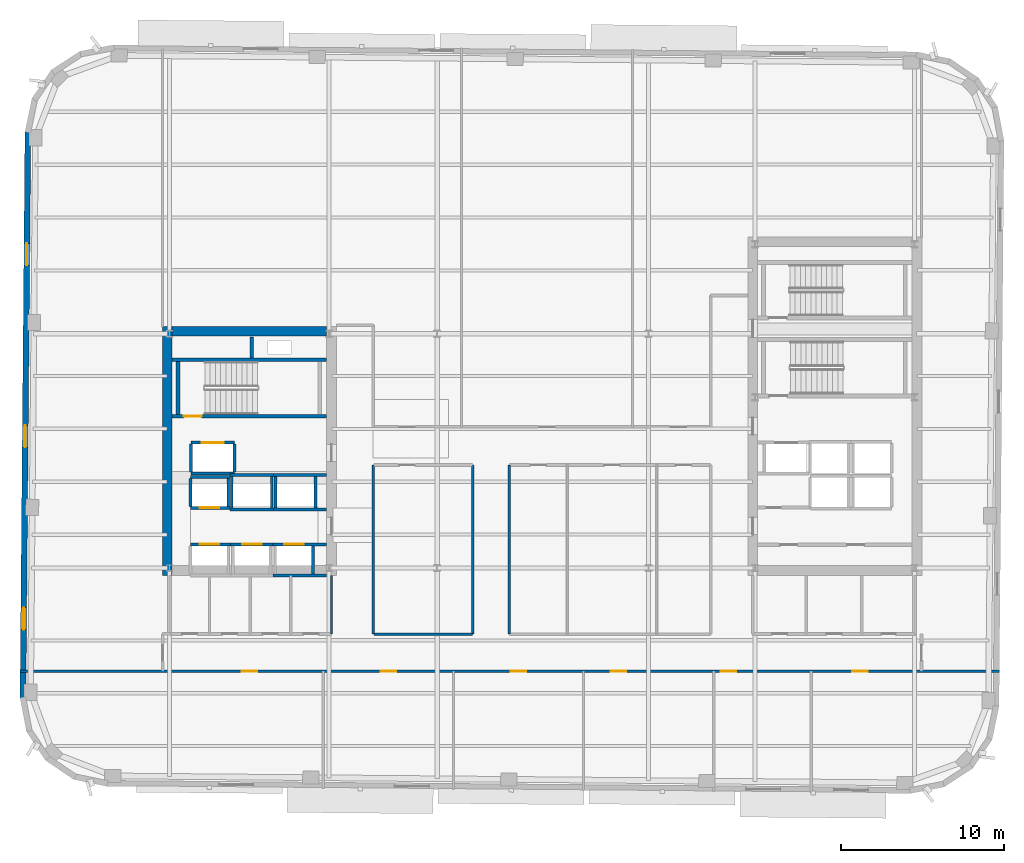
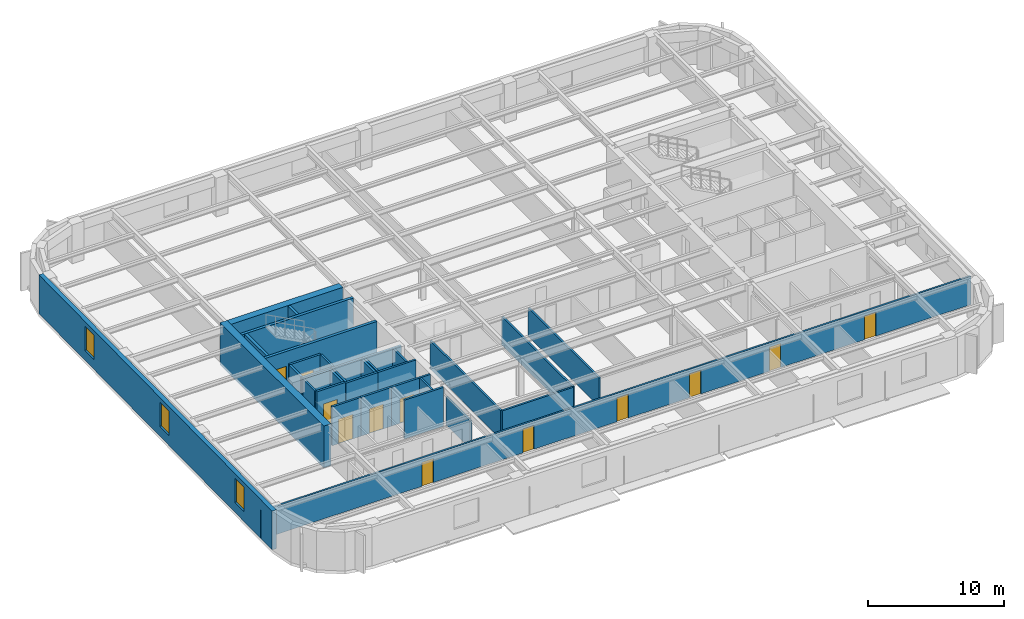
# One storey, part 4 of 12: 34 walls, 12 doors, 3 windows, 15 openings.
"""IFC4 building model written with IfcOpenShell, lengths in metres."""

from ifc_helpers import new_model, si_unit, direction, frame, frame_2d, origin, place, context, subcontext, project, spatial, rectangle, extrude, material, layer, layer_set, type_object, element, fill, save


model = new_model("IFC4")

# Units and contexts
model_context = context("Model", 3, precision=1e-05, world=origin(), true_north=direction((0.0, 1.0)))
body_context = subcontext(model_context, "Body", "Model", "MODEL_VIEW")
ifc_project = project(units=[si_unit("LENGTHUNIT", "METRE"), si_unit("AREAUNIT", "SQUARE_METRE"), si_unit("VOLUMEUNIT", "CUBIC_METRE"), si_unit("PLANEANGLEUNIT", "RADIAN"), si_unit("MASSUNIT", "GRAM", prefix="KILO")], contexts=[model_context])

# Site, building, storey
site_placement = place(None, origin())
site = spatial("IfcSite", under=ifc_project, at=site_placement, CompositionType="ELEMENT")
building_placement = place(site_placement, origin())
building = spatial("IfcBuilding", under=site, at=building_placement, Name="Kolvaren Arena Tower", CompositionType="ELEMENT")
storey_placement = place(building_placement, frame((0.0, 0.0, 199.699951171875)))
storey = spatial("IfcBuildingStorey", under=building, at=storey_placement, Name="L48", CompositionType="ELEMENT", Elevation=199.699951171875)

# Wall, openings, doors
ifc_material_1 = material(Name="Gypsum board acoustic assembly", Category="gypsum")
ifc_layer_1 = layer(ifc_material_1, 0.159912109375)
ifc_layer_set_1 = layer_set([ifc_layer_1], Name="Gypsum board acoustic assembly")
wall_type_1 = type_object("IfcWallType", Name="CORR-160", PredefinedType="PARTITIONING", material=ifc_layer_set_1)
wall_1_placement = place(storey_placement, frame((5.363525390625, 13.10009765625, 0.0), z_axis=(0.0, 0.0, 1.0), x_axis=(1.0, 0.0, 0.0)))
wall_1 = element("IfcWall", 1, at=wall_1_placement, inside=storey, type_object=wall_type_1, Name="Interior Partition Wall (L48)", PredefinedType="PARTITIONING", context=body_context, shape_type="SweptSolid", body=[
    extrude(rectangle(XDim=60.202392578125, YDim=0.159912109375, at=frame_2d((30.10107421875, 0.0))), origin(), (0.0, 0.0, 1.0), 2.5400390625),
])
opening_1_placement = place(wall_1_placement, frame((13.611328125, 0.0, 0.0)))
opening_1 = element("IfcOpeningElement", 2, at=opening_1_placement, cuts=wall_1, Name="Opening D05", PredefinedType="OPENING", context=body_context, shape_type="SweptSolid", body=[
    extrude(rectangle(XDim=0.949951171875, YDim=2.14990234375, at=frame_2d((0.47509765625, 1.074951171875))), frame((0.0, 0.08984375, 0.0), z_axis=(0.0, -1.0, 0.0), x_axis=(1.0, 0.0, 0.0)), (0.0, 0.0, 1.0), 0.179931640625),
])
opening_2_placement = place(wall_1_placement, frame((22.161376953125, 0.0, 0.0)))
opening_2 = element("IfcOpeningElement", 3, at=opening_2_placement, cuts=wall_1, Name="Opening D05", PredefinedType="OPENING", context=body_context, shape_type="SweptSolid", body=[
    extrude(rectangle(XDim=0.949951171875, YDim=2.14990234375, at=frame_2d((0.47509765625, 1.074951171875))), frame((0.0, 0.08984375, 0.0), z_axis=(0.0, -1.0, 0.0), x_axis=(1.0, 0.0, 0.0)), (0.0, 0.0, 1.0), 0.179931640625),
])
opening_3_placement = place(wall_1_placement, frame((30.161376953125, 0.0, 0.0)))
opening_3 = element("IfcOpeningElement", 4, at=opening_3_placement, cuts=wall_1, Name="Opening D05", PredefinedType="OPENING", context=body_context, shape_type="SweptSolid", body=[
    extrude(rectangle(XDim=0.949951171875, YDim=2.14990234375, at=frame_2d((0.47509765625, 1.074951171875))), frame((0.0, 0.08984375, 0.0), z_axis=(0.0, -1.0, 0.0), x_axis=(1.0, 0.0, 0.0)), (0.0, 0.0, 1.0), 0.179931640625),
])
opening_4_placement = place(wall_1_placement, frame((36.311279296875, 0.0, 0.0)))
opening_4 = element("IfcOpeningElement", 5, at=opening_4_placement, cuts=wall_1, Name="Opening D05", PredefinedType="OPENING", context=body_context, shape_type="SweptSolid", body=[
    extrude(rectangle(XDim=0.949951171875, YDim=2.14990234375, at=frame_2d((0.47509765625, 1.074951171875))), frame((0.0, 0.08984375, 0.0), z_axis=(0.0, -1.0, 0.0), x_axis=(1.0, 0.0, 0.0)), (0.0, 0.0, 1.0), 0.179931640625),
])
opening_5_placement = place(wall_1_placement, frame((43.08642578125, 0.0, 0.0)))
opening_5 = element("IfcOpeningElement", 6, at=opening_5_placement, cuts=wall_1, Name="Opening D05", PredefinedType="OPENING", context=body_context, shape_type="SweptSolid", body=[
    extrude(rectangle(XDim=0.949951171875, YDim=2.14990234375, at=frame_2d((0.47509765625, 1.074951171875))), frame((0.0, 0.08984375, 0.0), z_axis=(0.0, -1.0, 0.0), x_axis=(1.0, 0.0, 0.0)), (0.0, 0.0, 1.0), 0.179931640625),
])
opening_6_placement = place(wall_1_placement, frame((51.161376953125, 0.0, 0.0)))
opening_6 = element("IfcOpeningElement", 7, at=opening_6_placement, cuts=wall_1, Name="Opening D05", PredefinedType="OPENING", context=body_context, shape_type="SweptSolid", body=[
    extrude(rectangle(XDim=0.949951171875, YDim=2.14990234375, at=frame_2d((0.47509765625, 1.074951171875))), frame((0.0, 0.08984375, 0.0), z_axis=(0.0, -1.0, 0.0), x_axis=(1.0, 0.0, 0.0)), (0.0, 0.0, 1.0), 0.179931640625),
])
ifc_material_2 = material(Name="Solid-core oak acoustic office door", Category="wood")
door_type_1 = type_object("IfcDoorType", Name="DOOR-OF-095", OperationType="NOTDEFINED", PredefinedType="DOOR", material=ifc_material_2)
door_1_placement = place(opening_1_placement, origin())
door_1 = element("IfcDoor", 8, at=door_1_placement, inside=storey, type_object=door_type_1, Name="Technical Engineering Office Door (L48)", OperationType="SINGLE_SWING_RIGHT", OverallHeight=2.14990234375, OverallWidth=0.949951171875, PredefinedType="DOOR", context=body_context, shape_type="SweptSolid", body=[
    extrude(rectangle(XDim=0.949951171875, YDim=2.14990234375, at=frame_2d((0.47509765625, 1.074951171875))), frame((0.0, 0.02490234375, 0.0), z_axis=(0.0, -1.0, 0.0), x_axis=(1.0, 0.0, 0.0)), (0.0, 0.0, 1.0), 0.050048828125),
])
fill(opening_1, door_1)
door_2_placement = place(opening_2_placement, origin())
door_2 = element("IfcDoor", 9, at=door_2_placement, inside=storey, type_object=door_type_1, Name="Training Seminar Room Door (L48)", OperationType="SINGLE_SWING_LEFT", OverallHeight=2.14990234375, OverallWidth=0.949951171875, PredefinedType="DOOR", context=body_context, shape_type="SweptSolid", body=[
    extrude(rectangle(XDim=0.949951171875, YDim=2.14990234375, at=frame_2d((0.47509765625, 1.074951171875))), frame((0.0, 0.02490234375, 0.0), z_axis=(0.0, -1.0, 0.0), x_axis=(1.0, 0.0, 0.0)), (0.0, 0.0, 1.0), 0.050048828125),
])
fill(opening_2, door_2)
door_3_placement = place(opening_3_placement, origin())
door_3 = element("IfcDoor", 10, at=door_3_placement, inside=storey, type_object=door_type_1, Name="Client Lounge Door (L48)", OperationType="SINGLE_SWING_RIGHT", OverallHeight=2.14990234375, OverallWidth=0.949951171875, PredefinedType="DOOR", context=body_context, shape_type="SweptSolid", body=[
    extrude(rectangle(XDim=0.949951171875, YDim=2.14990234375, at=frame_2d((0.47509765625, 1.074951171875))), frame((0.0, 0.02490234375, 0.0), z_axis=(0.0, -1.0, 0.0), x_axis=(1.0, 0.0, 0.0)), (0.0, 0.0, 1.0), 0.050048828125),
])
fill(opening_3, door_3)
door_4_placement = place(opening_4_placement, origin())
door_4 = element("IfcDoor", 11, at=door_4_placement, inside=storey, type_object=door_type_1, Name="Boardroom Door (L48)", OperationType="SINGLE_SWING_LEFT", OverallHeight=2.14990234375, OverallWidth=0.949951171875, PredefinedType="DOOR", context=body_context, shape_type="SweptSolid", body=[
    extrude(rectangle(XDim=0.949951171875, YDim=2.14990234375, at=frame_2d((0.47509765625, 1.074951171875))), frame((0.0, 0.02490234375, 0.0), z_axis=(0.0, -1.0, 0.0), x_axis=(1.0, 0.0, 0.0)), (0.0, 0.0, 1.0), 0.050048828125),
])
fill(opening_4, door_4)
door_5_placement = place(opening_5_placement, origin())
door_5 = element("IfcDoor", 12, at=door_5_placement, inside=storey, type_object=door_type_1, Name="Breakout Pantry and Kitchen Door (L48)", OperationType="SINGLE_SWING_RIGHT", OverallHeight=2.14990234375, OverallWidth=0.949951171875, PredefinedType="DOOR", context=body_context, shape_type="SweptSolid", body=[
    extrude(rectangle(XDim=0.949951171875, YDim=2.14990234375, at=frame_2d((0.47509765625, 1.074951171875))), frame((0.0, 0.02490234375, 0.0), z_axis=(0.0, -1.0, 0.0), x_axis=(1.0, 0.0, 0.0)), (0.0, 0.0, 1.0), 0.050048828125),
])
fill(opening_5, door_5)
door_6_placement = place(opening_6_placement, origin())
door_6 = element("IfcDoor", 13, at=door_6_placement, inside=storey, type_object=door_type_1, Name="Design Studio Door (L48)", OperationType="SINGLE_SWING_LEFT", OverallHeight=2.14990234375, OverallWidth=0.949951171875, PredefinedType="DOOR", context=body_context, shape_type="SweptSolid", body=[
    extrude(rectangle(XDim=0.949951171875, YDim=2.14990234375, at=frame_2d((0.47509765625, 1.074951171875))), frame((0.0, 0.02490234375, 0.0), z_axis=(0.0, -1.0, 0.0), x_axis=(1.0, 0.0, 0.0)), (0.0, 0.0, 1.0), 0.050048828125),
])
fill(opening_6, door_6)

# Walls
wall_2_placement = place(storey_placement, frame((27.10009765625, 15.3798828125, 0.0), z_axis=(0.0, 0.0, 1.0), x_axis=(1.0, 0.0, 0.0)))
element("IfcWall", 14, at=wall_2_placement, inside=storey, type_object=wall_type_1, Name="Interior Partition Wall (L48)", PredefinedType="PARTITIONING", context=body_context, shape_type="SweptSolid", body=[
    extrude(rectangle(XDim=6.059814453125, YDim=0.159912109375, at=frame_2d((3.02978515625, 0.0))), origin(), (0.0, 0.0, 1.0), 2.5400390625),
])
for number, where, z_axis, x_axis, name in (
    (15, (33.179931640625, 15.3798828125, 0.0), (0.0, 0.0, 1.0), (0.0, 1.0, 0.0), "Interior Partition Wall (L48)"),
    (16, (35.419921875, 15.3798828125, 0.0), (0.0, 0.0, 1.0), (0.0, 1.0, 0.0), "Interior Partition Wall (L48)"),
    (17, (27.080078125, 15.3798828125, 0.0), (0.0, 0.0, 1.0), (0.0, 1.0, 0.0), "Interior Partition Wall (L48)"),
):
    element("IfcWall", number, at=place(storey_placement, frame(where, z_axis=z_axis, x_axis=x_axis)), inside=storey, type_object=wall_type_1, Name=name, PredefinedType="PARTITIONING", context=body_context, shape_type="SweptSolid", body=[
        extrude(rectangle(XDim=10.400146484375, YDim=0.159912109375, at=frame_2d((5.2001953125, 0.0))), origin(), (0.0, 0.0, 1.0), 2.5400390625),
    ])
ifc_material_3 = material(Name="Concrete 60 MPa", Category="concrete")
ifc_layer_2 = layer(ifc_material_3, 0.60009765625)
ifc_layer_set_2 = layer_set([ifc_layer_2], Name="Concrete 60 MPa")
wall_type_2 = type_object("IfcWallType", Name="CWALL-600", PredefinedType="SHEAR", material=ifc_layer_set_2)
wall_3_placement = place(storey_placement, frame((14.39990234375, 19.0, -0.27001953125), z_axis=(0.0, 0.0, 1.0), x_axis=(0.0, 1.0, 0.0)))
element("IfcWall", 18, at=wall_3_placement, inside=storey, type_object=wall_type_2, Name="Core Shear Wall WC-WEST (L48)", PredefinedType="SHEAR", context=body_context, shape_type="SweptSolid", body=[
    extrude(rectangle(XDim=15.300048828125, YDim=0.60009765625, at=frame_2d((7.64990234375, 0.0))), origin(), (0.0, 0.0, 1.0), 3.75),
])
wall_4_placement = place(storey_placement, frame((14.699951171875, 34.0, -0.27001953125), z_axis=(0.0, 0.0, 1.0), x_axis=(1.0, 0.0, 0.0)))
element("IfcWall", 19, at=wall_4_placement, inside=storey, type_object=wall_type_2, Name="Core Shear Wall WC-NORTH (L48)", PredefinedType="SHEAR", context=body_context, shape_type="SweptSolid", body=[
    extrude(rectangle(XDim=9.5, YDim=0.60009765625, at=frame_2d((4.75, 0.0))), origin(), (0.0, 0.0, 1.0), 3.75),
])

# Wall, openings, windows
ifc_material_4 = material(Name="Precast concrete C50/60", Category="concrete")
ifc_layer_3 = layer(ifc_material_4, 0.360107421875)
ifc_layer_set_3 = layer_set([ifc_layer_3], Name="Precast concrete C50/60")
wall_type_3 = type_object("IfcWallType", Name="EXT-PIER2", PredefinedType="SOLIDWALL", material=ifc_layer_set_3)
wall_5_placement = place(storey_placement, frame((5.529296875, 11.461669921875, 0.0), z_axis=(0.0, 0.0, 1.0), x_axis=(0.008727287311, 0.999961916503, 0.0)))
wall_5 = element("IfcWall", 20, at=wall_5_placement, inside=storey, type_object=wall_type_3, Name="Exterior Precast Masonry-Frame Wall (L48)", PredefinedType="SOLIDWALL", context=body_context, shape_type="SweptSolid", body=[
    extrude(rectangle(XDim=34.800048828125, YDim=0.360107421875, at=frame_2d((17.39990234375, 0.0))), origin(), (0.0, 0.0, 1.0), 3.47998046875),
])
opening_7_placement = place(wall_5_placement, frame((4.199951171875, 0.0, 0.8798828125)))
opening_7 = element("IfcOpeningElement", 21, at=opening_7_placement, cuts=wall_5, Name="Opening W04", PredefinedType="OPENING", context=body_context, shape_type="SweptSolid", body=[
    extrude(rectangle(XDim=1.35009765625, YDim=2.199951171875, at=frame_2d((0.675048828125, 1.10009765625))), frame((0.0, 0.18994140625, 0.0), z_axis=(0.0, -1.0, 0.0), x_axis=(1.0, 0.0, 0.0)), (0.0, 0.0, 1.0), 0.380126953125),
])
opening_8_placement = place(wall_5_placement, frame((15.39990234375, 0.0, 0.8798828125)))
opening_8 = element("IfcOpeningElement", 22, at=opening_8_placement, cuts=wall_5, Name="Opening W04", PredefinedType="OPENING", context=body_context, shape_type="SweptSolid", body=[
    extrude(rectangle(XDim=1.35009765625, YDim=2.199951171875, at=frame_2d((0.675048828125, 1.10009765625))), frame((0.0, 0.18994140625, 0.0), z_axis=(0.0, -1.0, 0.0), x_axis=(1.0, 0.0, 0.0)), (0.0, 0.0, 1.0), 0.380126953125),
])
opening_9_placement = place(wall_5_placement, frame((26.60009765625, 0.0, 0.8798828125)))
opening_9 = element("IfcOpeningElement", 23, at=opening_9_placement, cuts=wall_5, Name="Opening W04", PredefinedType="OPENING", context=body_context, shape_type="SweptSolid", body=[
    extrude(rectangle(XDim=1.35009765625, YDim=2.199951171875, at=frame_2d((0.675048828125, 1.10009765625))), frame((0.0, 0.18994140625, 0.0), z_axis=(0.0, -1.0, 0.0), x_axis=(1.0, 0.0, 0.0)), (0.0, 0.0, 1.0), 0.380126953125),
])
ifc_material_5 = material(Name="Triple-glazed curved-facet corner window", Category="glass")
window_type = type_object("IfcWindowType", Name="WIN-CRN-A", PartitioningType="SINGLE_PANEL", PredefinedType="WINDOW", material=ifc_material_5)
window_1_placement = place(opening_7_placement, origin())
window_1 = element("IfcWindow", 24, at=window_1_placement, inside=storey, type_object=window_type, Name="End-Wall Punched Window (L48)", OverallHeight=2.199951171875, OverallWidth=1.35009765625, PartitioningType="SINGLE_PANEL", PredefinedType="WINDOW", context=body_context, shape_type="SweptSolid", body=[
    extrude(rectangle(XDim=1.35009765625, YDim=2.199951171875, at=frame_2d((0.675048828125, 1.10009765625))), frame((0.0, 0.030029296875, 0.0), z_axis=(0.0, -1.0, 0.0), x_axis=(1.0, 0.0, 0.0)), (0.0, 0.0, 1.0), 0.06005859375),
])
fill(opening_7, window_1)
window_2_placement = place(opening_8_placement, origin())
window_2 = element("IfcWindow", 25, at=window_2_placement, inside=storey, type_object=window_type, Name="End-Wall Punched Window (L48)", OverallHeight=2.199951171875, OverallWidth=1.35009765625, PartitioningType="SINGLE_PANEL", PredefinedType="WINDOW", context=body_context, shape_type="SweptSolid", body=[
    extrude(rectangle(XDim=1.35009765625, YDim=2.199951171875, at=frame_2d((0.675048828125, 1.10009765625))), frame((0.0, 0.030029296875, 0.0), z_axis=(0.0, -1.0, 0.0), x_axis=(1.0, 0.0, 0.0)), (0.0, 0.0, 1.0), 0.06005859375),
])
fill(opening_8, window_2)
window_3_placement = place(opening_9_placement, origin())
window_3 = element("IfcWindow", 26, at=window_3_placement, inside=storey, type_object=window_type, Name="End-Wall Punched Window (L48)", OverallHeight=2.199951171875, OverallWidth=1.35009765625, PartitioningType="SINGLE_PANEL", PredefinedType="WINDOW", context=body_context, shape_type="SweptSolid", body=[
    extrude(rectangle(XDim=1.35009765625, YDim=2.199951171875, at=frame_2d((0.675048828125, 1.10009765625))), frame((0.0, 0.030029296875, 0.0), z_axis=(0.0, -1.0, 0.0), x_axis=(1.0, 0.0, 0.0)), (0.0, 0.0, 1.0), 0.06005859375),
])
fill(opening_9, window_3)

# Wall, opening, door
ifc_material_6 = material(Name="Concrete 45 MPa", Category="concrete")
ifc_layer_4 = layer(ifc_material_6, 0.25)
ifc_layer_set_4 = layer_set([ifc_layer_4], Name="Concrete 45 MPa")
wall_type_4 = type_object("IfcWallType", Name="SHAFT-250", PredefinedType="SOLIDWALL", material=ifc_layer_set_4)
wall_6_placement = place(storey_placement, frame((24.199951171875, 28.780029296875, 0.0), z_axis=(0.0, 0.0, 1.0), x_axis=(-1.0, 0.0, 0.0)))
wall_6 = element("IfcWall", 27, at=wall_6_placement, inside=storey, type_object=wall_type_4, Name="Core Shaft Wall (L48)", PredefinedType="SOLIDWALL", context=body_context, shape_type="SweptSolid", body=[
    extrude(rectangle(XDim=9.5, YDim=0.239990234375, at=frame_2d((4.75, 0.0))), origin(), (0.0, 0.0, 1.0), 3.47998046875),
])
opening_10_placement = place(wall_6_placement, frame((7.679931640625, 0.0, 0.0)))
opening_10 = element("IfcOpeningElement", 28, at=opening_10_placement, cuts=wall_6, Name="Opening D03", PredefinedType="OPENING", context=body_context, shape_type="SweptSolid", body=[
    extrude(rectangle(XDim=1.10009765625, YDim=2.14990234375, at=frame_2d((0.550048828125, 1.074951171875))), frame((0.0, 0.1298828125, 0.0), z_axis=(0.0, -1.0, 0.0), x_axis=(1.0, 0.0, 0.0)), (0.0, 0.0, 1.0), 0.260009765625),
])
ifc_material_7 = material(Name="Fire-rated steel exit stair door", Category="steel")
door_type_2 = type_object("IfcDoorType", Name="DOOR-ST-110", OperationType="NOTDEFINED", PredefinedType="DOOR", material=ifc_material_7)
door_7_placement = place(opening_10_placement, origin())
door_7 = element("IfcDoor", 29, at=door_7_placement, inside=storey, type_object=door_type_2, Name="Stair ST-W1 Fire Door (L48)", OperationType="SINGLE_SWING_RIGHT", OverallHeight=2.14990234375, OverallWidth=1.10009765625, PredefinedType="DOOR", context=body_context, shape_type="SweptSolid", body=[
    extrude(rectangle(XDim=1.10009765625, YDim=2.14990234375, at=frame_2d((0.550048828125, 1.074951171875))), frame((0.0, 0.02490234375, 0.0), z_axis=(0.0, -1.0, 0.0), x_axis=(1.0, 0.0, 0.0)), (0.0, 0.0, 1.0), 0.050048828125),
])
fill(opening_10, door_7)

# Walls
wall_7_placement = place(storey_placement, frame((14.699951171875, 32.25, 0.0), z_axis=(0.0, 0.0, 1.0), x_axis=(1.0, 0.0, 0.0)))
element("IfcWall", 30, at=wall_7_placement, inside=storey, type_object=wall_type_4, Name="Core Shaft Wall (L48)", PredefinedType="SOLIDWALL", context=body_context, shape_type="SweptSolid", body=[
    extrude(rectangle(XDim=9.5, YDim=0.239990234375, at=frame_2d((4.75, 0.0))), origin(), (0.0, 0.0, 1.0), 3.47998046875),
])
wall_8_placement = place(storey_placement, frame((15.06005859375, 28.89990234375, 0.0), z_axis=(0.0, 0.0, 1.0), x_axis=(0.0, 1.0, 0.0)))
element("IfcWall", 31, at=wall_8_placement, inside=storey, type_object=wall_type_4, Name="Core Shaft Wall (L48)", PredefinedType="SOLIDWALL", context=body_context, shape_type="SweptSolid", body=[
    extrude(rectangle(XDim=3.22998046875, YDim=0.239990234375, at=frame_2d((1.614990234375, 0.0))), origin(), (0.0, 0.0, 1.0), 3.47998046875),
])
wall_9_placement = place(storey_placement, frame((19.60009765625, 32.3701171875, 0.0), z_axis=(0.0, 0.0, 1.0), x_axis=(0.0, 1.0, 0.0)))
element("IfcWall", 32, at=wall_9_placement, inside=storey, type_object=wall_type_4, Name="Core Shaft Wall (L48)", PredefinedType="SOLIDWALL", context=body_context, shape_type="SweptSolid", body=[
    extrude(rectangle(XDim=1.27978515625, YDim=0.199951171875, at=frame_2d((0.639892578125, 0.0))), origin(), (0.0, 0.0, 1.0), 3.47998046875),
])

# Wall, opening, door
wall_10_placement = place(storey_placement, frame((15.844970703125, 20.905029296875, 0.0), z_axis=(0.0, 0.0, 1.0), x_axis=(1.0, 0.0, 0.0)))
wall_10 = element("IfcWall", 33, at=wall_10_placement, inside=storey, type_object=wall_type_4, Name="Core Shaft Wall (L48)", PredefinedType="SOLIDWALL", context=body_context, shape_type="SweptSolid", body=[
    extrude(rectangle(XDim=2.455078125, YDim=0.179931640625, at=frame_2d((1.2275390625, 0.0))), origin(), (0.0, 0.0, 1.0), 3.47998046875),
])
opening_11_placement = place(wall_10_placement, frame((0.554931640625, 0.0, 0.0)))
opening_11 = element("IfcOpeningElement", 34, at=opening_11_placement, cuts=wall_10, Name="Opening LD1", PredefinedType="OPENING", context=body_context, shape_type="SweptSolid", body=[
    extrude(rectangle(XDim=1.199951171875, YDim=2.199951171875, at=frame_2d((0.60009765625, 1.10009765625))), frame((0.0, 0.099853515625, 0.0), z_axis=(0.0, -1.0, 0.0), x_axis=(1.0, 0.0, 0.0)), (0.0, 0.0, 1.0), 0.199951171875),
])
ifc_material_8 = material(Name="Stainless steel passenger lift landing door", Category="steel")
door_type_3 = type_object("IfcDoorType", Name="DOOR-LD-120", OperationType="DOUBLE_DOOR_SLIDING", PredefinedType="DOOR", material=ifc_material_8)
door_8_placement = place(opening_11_placement, origin())
door_8 = element("IfcDoor", 35, at=door_8_placement, inside=storey, type_object=door_type_3, Name="Lift EL-MR1 Landing Door (L48)", OperationType="DOUBLE_DOOR_SLIDING", OverallHeight=2.199951171875, OverallWidth=1.199951171875, PredefinedType="DOOR", context=body_context, shape_type="SweptSolid", body=[
    extrude(rectangle(XDim=1.199951171875, YDim=2.199951171875, at=frame_2d((0.60009765625, 1.10009765625))), frame((0.0, 0.02490234375, 0.0), z_axis=(0.0, -1.0, 0.0), x_axis=(1.0, 0.0, 0.0)), (0.0, 0.0, 1.0), 0.050048828125),
])
fill(opening_11, door_8)

wall_11_placement = place(storey_placement, frame((18.300048828125, 20.905029296875, 0.0), z_axis=(0.0, 0.0, 1.0), x_axis=(1.0, 0.0, 0.0)))
wall_11 = element("IfcWall", 36, at=wall_11_placement, inside=storey, type_object=wall_type_4, Name="Core Shaft Wall (L48)", PredefinedType="SOLIDWALL", context=body_context, shape_type="SweptSolid", body=[
    extrude(rectangle(XDim=2.599853515625, YDim=0.179931640625, at=frame_2d((1.2998046875, 0.0))), origin(), (0.0, 0.0, 1.0), 3.47998046875),
])
opening_12_placement = place(wall_11_placement, frame((0.699951171875, 0.0, 0.0)))
opening_12 = element("IfcOpeningElement", 37, at=opening_12_placement, cuts=wall_11, Name="Opening LD1", PredefinedType="OPENING", context=body_context, shape_type="SweptSolid", body=[
    extrude(rectangle(XDim=1.199951171875, YDim=2.199951171875, at=frame_2d((0.60009765625, 1.10009765625))), frame((0.0, 0.099853515625, 0.0), z_axis=(0.0, -1.0, 0.0), x_axis=(1.0, 0.0, 0.0)), (0.0, 0.0, 1.0), 0.199951171875),
])
door_9_placement = place(opening_12_placement, origin())
door_9 = element("IfcDoor", 38, at=door_9_placement, inside=storey, type_object=door_type_3, Name="Lift EL-MR2 Landing Door (L48)", OperationType="DOUBLE_DOOR_SLIDING", OverallHeight=2.199951171875, OverallWidth=1.199951171875, PredefinedType="DOOR", context=body_context, shape_type="SweptSolid", body=[
    extrude(rectangle(XDim=1.199951171875, YDim=2.199951171875, at=frame_2d((0.60009765625, 1.10009765625))), frame((0.0, 0.02490234375, 0.0), z_axis=(0.0, -1.0, 0.0), x_axis=(1.0, 0.0, 0.0)), (0.0, 0.0, 1.0), 0.050048828125),
])
fill(opening_12, door_9)

wall_12_placement = place(storey_placement, frame((20.89990234375, 20.905029296875, 0.0), z_axis=(0.0, 0.0, 1.0), x_axis=(1.0, 0.0, 0.0)))
wall_12 = element("IfcWall", 39, at=wall_12_placement, inside=storey, type_object=wall_type_4, Name="Core Shaft Wall (L48)", PredefinedType="SOLIDWALL", context=body_context, shape_type="SweptSolid", body=[
    extrude(rectangle(XDim=3.300048828125, YDim=0.179931640625, at=frame_2d((1.64990234375, 0.0))), origin(), (0.0, 0.0, 1.0), 3.47998046875),
])
opening_13_placement = place(wall_12_placement, frame((0.699951171875, 0.0, 0.0)))
opening_13 = element("IfcOpeningElement", 40, at=opening_13_placement, cuts=wall_12, Name="Opening LD1", PredefinedType="OPENING", context=body_context, shape_type="SweptSolid", body=[
    extrude(rectangle(XDim=1.199951171875, YDim=2.199951171875, at=frame_2d((0.60009765625, 1.10009765625))), frame((0.0, 0.099853515625, 0.0), z_axis=(0.0, -1.0, 0.0), x_axis=(1.0, 0.0, 0.0)), (0.0, 0.0, 1.0), 0.199951171875),
])
door_10_placement = place(opening_13_placement, origin())
door_10 = element("IfcDoor", 41, at=door_10_placement, inside=storey, type_object=door_type_3, Name="Lift EL-MR3 Landing Door (L48)", OperationType="DOUBLE_DOOR_SLIDING", OverallHeight=2.199951171875, OverallWidth=1.199951171875, PredefinedType="DOOR", context=body_context, shape_type="SweptSolid", body=[
    extrude(rectangle(XDim=1.199951171875, YDim=2.199951171875, at=frame_2d((0.60009765625, 1.10009765625))), frame((0.0, 0.02490234375, 0.0), z_axis=(0.0, -1.0, 0.0), x_axis=(1.0, 0.0, 0.0)), (0.0, 0.0, 1.0), 0.050048828125),
])
fill(opening_13, door_10)

# Walls
wall_13_placement = place(storey_placement, frame((20.89990234375, 18.9951171875, 0.0), z_axis=(0.0, 0.0, 1.0), x_axis=(1.0, 0.0, 0.0)))
element("IfcWall", 42, at=wall_13_placement, inside=storey, type_object=wall_type_4, Name="Core Shaft Wall (L48)", PredefinedType="SOLIDWALL", context=body_context, shape_type="SweptSolid", body=[
    extrude(rectangle(XDim=3.300048828125, YDim=0.179931640625, at=frame_2d((1.64990234375, 0.0))), origin(), (0.0, 0.0, 1.0), 3.47998046875),
])
wall_14_placement = place(storey_placement, frame((23.35498046875, 19.0849609375, 0.0), z_axis=(0.0, 0.0, 1.0), x_axis=(0.0, 1.0, 0.0)))
element("IfcWall", 43, at=wall_14_placement, inside=storey, type_object=wall_type_4, Name="Core Shaft Wall (L48)", PredefinedType="SOLIDWALL", context=body_context, shape_type="SweptSolid", body=[
    extrude(rectangle(XDim=1.72998046875, YDim=0.179931640625, at=frame_2d((0.864990234375, 0.0))), origin(), (0.0, 0.0, 1.0), 3.47998046875),
])
wall_15_placement = place(storey_placement, frame((15.844970703125, 25.054931640625, 0.0), z_axis=(0.0, 0.0, 1.0), x_axis=(1.0, 0.0, 0.0)))
element("IfcWall", 44, at=wall_15_placement, inside=storey, type_object=wall_type_4, Name="Core Shaft Wall (L48)", PredefinedType="SOLIDWALL", context=body_context, shape_type="SweptSolid", body=[
    extrude(rectangle(XDim=2.41748046875, YDim=0.179931640625, at=frame_2d((1.208740234375, 0.0))), origin(), (0.0, 0.0, 1.0), 3.47998046875),
])

# Wall, opening, door
wall_16_placement = place(storey_placement, frame((15.844970703125, 23.14501953125, 0.0), z_axis=(0.0, 0.0, 1.0), x_axis=(1.0, 0.0, 0.0)))
wall_16 = element("IfcWall", 45, at=wall_16_placement, inside=storey, type_object=wall_type_4, Name="Core Shaft Wall (L48)", PredefinedType="SOLIDWALL", context=body_context, shape_type="SweptSolid", body=[
    extrude(rectangle(XDim=2.41748046875, YDim=0.179931640625, at=frame_2d((1.208740234375, 0.0))), origin(), (0.0, 0.0, 1.0), 3.47998046875),
])
opening_14_placement = place(wall_16_placement, frame((0.554931640625, 0.0, 0.0)))
opening_14 = element("IfcOpeningElement", 46, at=opening_14_placement, cuts=wall_16, Name="Opening LD1", PredefinedType="OPENING", context=body_context, shape_type="SweptSolid", body=[
    extrude(rectangle(XDim=1.199951171875, YDim=2.199951171875, at=frame_2d((0.60009765625, 1.10009765625))), frame((0.0, 0.099853515625, 0.0), z_axis=(0.0, -1.0, 0.0), x_axis=(1.0, 0.0, 0.0)), (0.0, 0.0, 1.0), 0.199951171875),
])
door_11_placement = place(opening_14_placement, origin())
door_11 = element("IfcDoor", 47, at=door_11_placement, inside=storey, type_object=door_type_3, Name="Lift EL-MR4 Landing Door (L48)", OperationType="DOUBLE_DOOR_SLIDING", OverallHeight=2.199951171875, OverallWidth=1.199951171875, PredefinedType="DOOR", context=body_context, shape_type="SweptSolid", body=[
    extrude(rectangle(XDim=1.199951171875, YDim=2.199951171875, at=frame_2d((0.60009765625, 1.10009765625))), frame((0.0, 0.02490234375, 0.0), z_axis=(0.0, -1.0, 0.0), x_axis=(1.0, 0.0, 0.0)), (0.0, 0.0, 1.0), 0.050048828125),
])
fill(opening_14, door_11)

# Walls
for number, where, z_axis, x_axis, name in (
    (48, (15.844970703125, 23.235107421875, 0.0), (0.0, 0.0, 1.0), (0.0, 1.0, 0.0), "Core Shaft Wall (L48)"),
    (49, (18.155029296875, 23.235107421875, 0.0), (0.0, 0.0, 1.0), (0.0, 1.0, 0.0), "Core Shaft Wall (L48)"),
):
    element("IfcWall", number, at=place(storey_placement, frame(where, z_axis=z_axis, x_axis=x_axis)), inside=storey, type_object=wall_type_4, Name=name, PredefinedType="SOLIDWALL", context=body_context, shape_type="SweptSolid", body=[
        extrude(rectangle(XDim=1.72998046875, YDim=0.179931640625, at=frame_2d((0.864990234375, 0.0))), origin(), (0.0, 0.0, 1.0), 3.47998046875),
    ])
for number, where, z_axis, x_axis, name in (
    (50, (18.262451171875, 25.155029296875, 0.0), (0.0, 0.0, 1.0), (1.0, 0.0, 0.0), "Core Shaft Wall (L48)"),
    (51, (18.262451171875, 23.044921875, 0.0), (0.0, 0.0, 1.0), (1.0, 0.0, 0.0), "Core Shaft Wall (L48)"),
):
    element("IfcWall", number, at=place(storey_placement, frame(where, z_axis=z_axis, x_axis=x_axis)), inside=storey, type_object=wall_type_4, Name=name, PredefinedType="SOLIDWALL", context=body_context, shape_type="SweptSolid", body=[
        extrude(rectangle(XDim=2.6875, YDim=0.179931640625, at=frame_2d((1.34375, 0.0))), origin(), (0.0, 0.0, 1.0), 3.47998046875),
    ])
for number, where, z_axis, x_axis, name in (
    (52, (18.3701171875, 23.135009765625, 0.0), (0.0, 0.0, 1.0), (0.0, 1.0, 0.0), "Core Shaft Wall (L48)"),
    (53, (20.830078125, 23.135009765625, 0.0), (0.0, 0.0, 1.0), (0.0, 1.0, 0.0), "Core Shaft Wall (L48)"),
):
    element("IfcWall", number, at=place(storey_placement, frame(where, z_axis=z_axis, x_axis=x_axis)), inside=storey, type_object=wall_type_4, Name=name, PredefinedType="SOLIDWALL", context=body_context, shape_type="SweptSolid", body=[
        extrude(rectangle(XDim=1.929931640625, YDim=0.179931640625, at=frame_2d((0.96484375, 0.0))), origin(), (0.0, 0.0, 1.0), 3.47998046875),
    ])
for number, where, z_axis, x_axis, name in (
    (54, (20.949951171875, 25.155029296875, 0.0), (0.0, 0.0, 1.0), (1.0, 0.0, 0.0), "Core Shaft Wall (L48)"),
    (55, (20.949951171875, 23.044921875, 0.0), (0.0, 0.0, 1.0), (1.0, 0.0, 0.0), "Core Shaft Wall (L48)"),
):
    element("IfcWall", number, at=place(storey_placement, frame(where, z_axis=z_axis, x_axis=x_axis)), inside=storey, type_object=wall_type_4, Name=name, PredefinedType="SOLIDWALL", context=body_context, shape_type="SweptSolid", body=[
        extrude(rectangle(XDim=3.25, YDim=0.179931640625, at=frame_2d((1.625, 0.0))), origin(), (0.0, 0.0, 1.0), 3.47998046875),
    ])
for number, where, z_axis, x_axis, name in (
    (56, (21.070068359375, 23.135009765625, 0.0), (0.0, 0.0, 1.0), (0.0, 1.0, 0.0), "Core Shaft Wall (L48)"),
    (57, (23.530029296875, 23.135009765625, 0.0), (0.0, 0.0, 1.0), (0.0, 1.0, 0.0), "Core Shaft Wall (L48)"),
):
    element("IfcWall", number, at=place(storey_placement, frame(where, z_axis=z_axis, x_axis=x_axis)), inside=storey, type_object=wall_type_4, Name=name, PredefinedType="SOLIDWALL", context=body_context, shape_type="SweptSolid", body=[
        extrude(rectangle(XDim=1.929931640625, YDim=0.179931640625, at=frame_2d((0.96484375, 0.0))), origin(), (0.0, 0.0, 1.0), 3.47998046875),
    ])

# Wall, opening, door
wall_17_placement = place(storey_placement, frame((15.8701171875, 27.155029296875, 0.0), z_axis=(0.0, 0.0, 1.0), x_axis=(1.0, 0.0, 0.0)))
wall_17 = element("IfcWall", 58, at=wall_17_placement, inside=storey, type_object=wall_type_4, Name="Core Shaft Wall (L48)", PredefinedType="SOLIDWALL", context=body_context, shape_type="SweptSolid", body=[
    extrude(rectangle(XDim=2.659912109375, YDim=0.179931640625, at=frame_2d((1.330078125, 0.0))), origin(), (0.0, 0.0, 1.0), 3.47998046875),
])
opening_15_placement = place(wall_17_placement, frame((0.655029296875, 0.0, 0.0)))
opening_15 = element("IfcOpeningElement", 59, at=opening_15_placement, cuts=wall_17, Name="Opening LD2", PredefinedType="OPENING", context=body_context, shape_type="SweptSolid", body=[
    extrude(rectangle(XDim=1.35009765625, YDim=2.300048828125, at=frame_2d((0.675048828125, 1.14990234375))), frame((0.0, 0.099853515625, 0.0), z_axis=(0.0, -1.0, 0.0), x_axis=(1.0, 0.0, 0.0)), (0.0, 0.0, 1.0), 0.199951171875),
])
ifc_material_9 = material(Name="Stainless steel firefighter lift landing door", Category="steel")
door_type_4 = type_object("IfcDoorType", Name="DOOR-LD-135", OperationType="DOUBLE_DOOR_SLIDING", PredefinedType="DOOR", material=ifc_material_9)
door_12_placement = place(opening_15_placement, origin())
door_12 = element("IfcDoor", 60, at=door_12_placement, inside=storey, type_object=door_type_4, Name="Firefighter Lift FF-W1 Landing Door (L48)", OperationType="DOUBLE_DOOR_SLIDING", OverallHeight=2.300048828125, OverallWidth=1.35009765625, PredefinedType="DOOR", context=body_context, shape_type="SweptSolid", body=[
    extrude(rectangle(XDim=1.35009765625, YDim=2.300048828125, at=frame_2d((0.675048828125, 1.14990234375))), frame((0.0, 0.02490234375, 0.0), z_axis=(0.0, -1.0, 0.0), x_axis=(1.0, 0.0, 0.0)), (0.0, 0.0, 1.0), 0.050048828125),
])
fill(opening_15, door_12)

# Walls
wall_18_placement = place(storey_placement, frame((15.8701171875, 25.2451171875, 0.0), z_axis=(0.0, 0.0, 1.0), x_axis=(1.0, 0.0, 0.0)))
element("IfcWall", 61, at=wall_18_placement, inside=storey, type_object=wall_type_4, Name="Core Shaft Wall (L48)", PredefinedType="SOLIDWALL", context=body_context, shape_type="SweptSolid", body=[
    extrude(rectangle(XDim=2.659912109375, YDim=0.179931640625, at=frame_2d((1.330078125, 0.0))), origin(), (0.0, 0.0, 1.0), 3.47998046875),
])
for number, where, z_axis, x_axis, name in (
    (62, (15.8701171875, 25.3349609375, 0.0), (0.0, 0.0, 1.0), (0.0, 1.0, 0.0), "Core Shaft Wall (L48)"),
    (63, (18.530029296875, 25.3349609375, 0.0), (0.0, 0.0, 1.0), (0.0, 1.0, 0.0), "Core Shaft Wall (L48)"),
):
    element("IfcWall", number, at=place(storey_placement, frame(where, z_axis=z_axis, x_axis=x_axis)), inside=storey, type_object=wall_type_4, Name=name, PredefinedType="SOLIDWALL", context=body_context, shape_type="SweptSolid", body=[
        extrude(rectangle(XDim=1.72998046875, YDim=0.179931640625, at=frame_2d((0.864990234375, 0.0))), origin(), (0.0, 0.0, 1.0), 3.47998046875),
    ])
ifc_material_10 = material(Name="Moisture-resistant gypsum assembly", Category="gypsum")
ifc_layer_5 = layer(ifc_material_10, 0.14990234375)
ifc_layer_set_5 = layer_set([ifc_layer_5], Name="Moisture-resistant gypsum assembly")
wall_type_5 = type_object("IfcWallType", Name="WETW-150", PredefinedType="PARTITIONING", material=ifc_layer_set_5)
wall_19_placement = place(storey_placement, frame((24.5, 15.39990234375, 0.0), z_axis=(0.0, 0.0, 1.0), x_axis=(0.0, 1.0, 0.0)))
element("IfcWall", 64, at=wall_19_placement, inside=storey, type_object=wall_type_5, Name="Interior Partition Wall (L48)", PredefinedType="PARTITIONING", context=body_context, shape_type="SweptSolid", body=[
    extrude(rectangle(XDim=3.580078125, YDim=0.14990234375, at=frame_2d((1.7900390625, 0.0))), origin(), (0.0, 0.0, 1.0), 2.5400390625),
])

save(model, "model.ifc")
